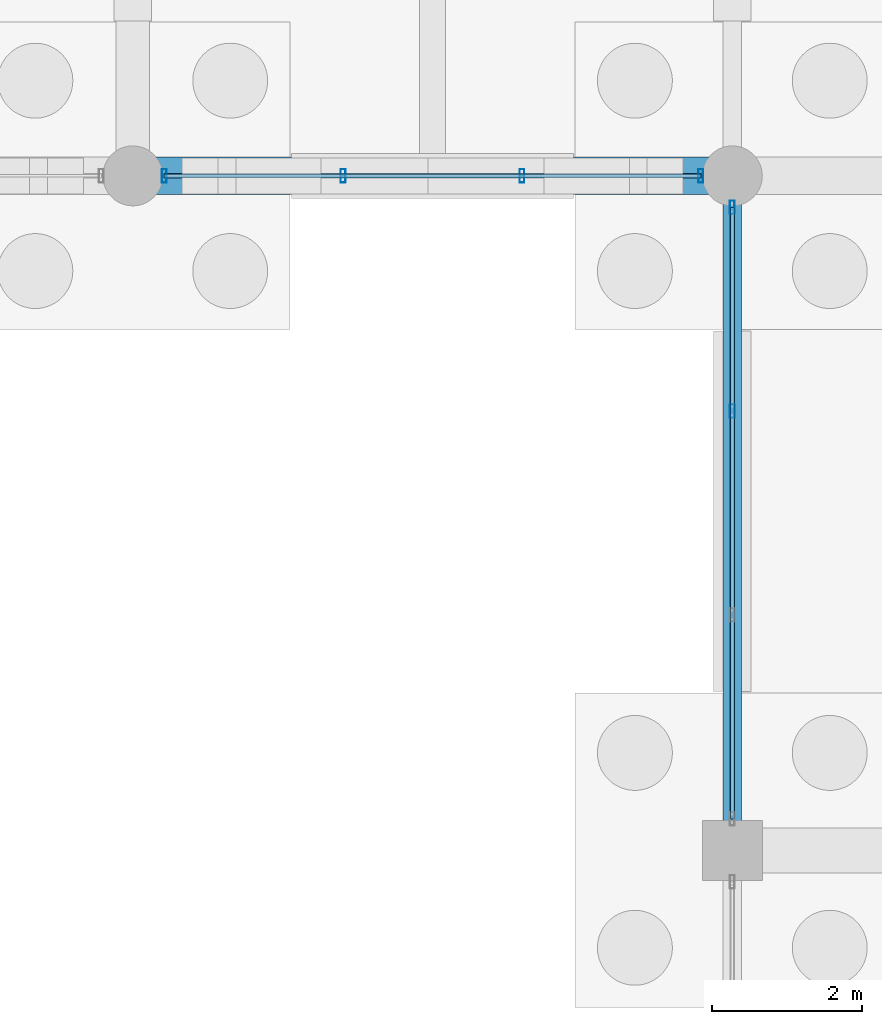
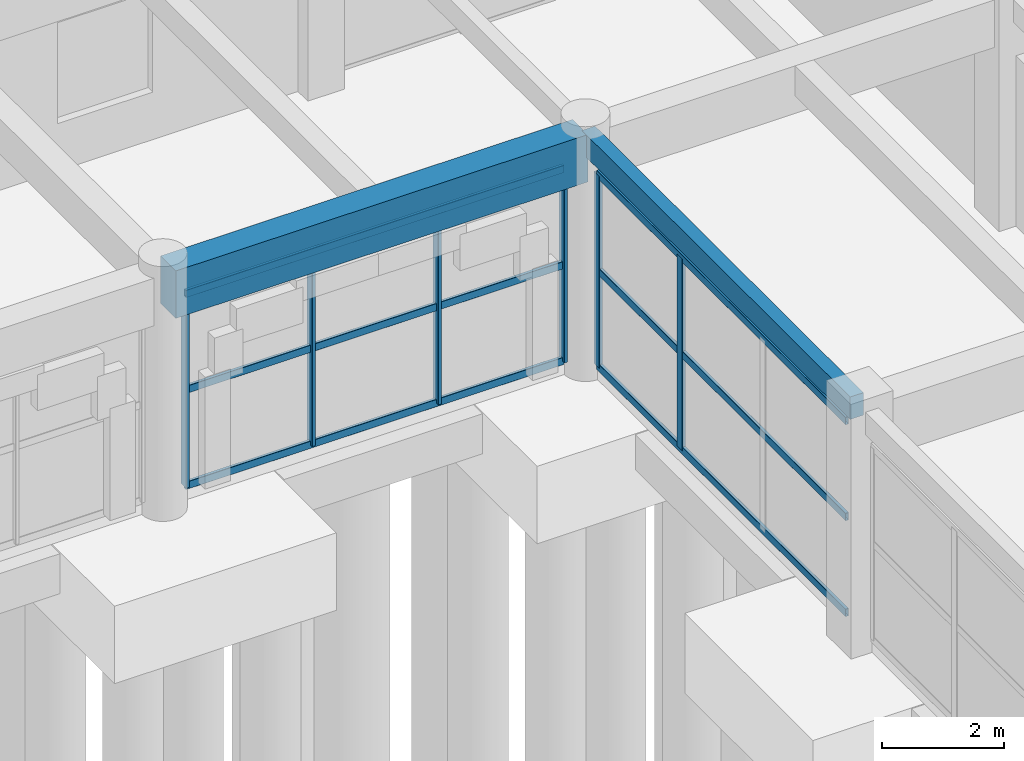
# One storey, part 77 of 147: 12 members, 2 beams, 2 elements without a shape of their own.
"""IFC4 building model written with IfcOpenShell, lengths in metres."""

from ifc_helpers import new_model, si_unit, direction, frame, origin, origin_2d, place, context, subcontext, project, spatial, rectangle, hollow_rectangle, extrude, material, material_profile, profile_set, type_object, element, aggregate, save


model = new_model("IFC4")

# Units and contexts
model_context = context("Model", 3, precision=1e-05, world=origin(), true_north=direction((0.0, 1.0)))
body_context = subcontext(model_context, "Body", "Model", "MODEL_VIEW")
ifc_project = project(units=[si_unit("LENGTHUNIT", "METRE"), si_unit("AREAUNIT", "SQUARE_METRE"), si_unit("VOLUMEUNIT", "CUBIC_METRE"), si_unit("PLANEANGLEUNIT", "RADIAN"), si_unit("MASSUNIT", "GRAM", prefix="KILO")], contexts=[model_context])

# Site, building, storey
site_placement = place(None, origin())
site = spatial("IfcSite", under=ifc_project, at=site_placement, CompositionType="ELEMENT")
building_placement = place(site_placement, origin())
building = spatial("IfcBuilding", under=site, at=building_placement, Name="Varnabhumi Central Station", CompositionType="ELEMENT")
storey_placement = place(building_placement, origin())
storey = spatial("IfcBuildingStorey", under=building, at=storey_placement, Name="L00", CompositionType="ELEMENT", Elevation=0.0)

# Beams
ifc_material_1 = material(Name="Concrete M35", Category="concrete")
ifc_material_profile_1 = material_profile(ifc_material_1, rectangle(XDim=0.25, YDim=0.449951171875, at=origin_2d()), Name="Concrete M35", Category="concrete")
ifc_profile_set_1 = profile_set([ifc_material_profile_1], Name="Concrete M35")
beam_type_1 = type_object("IfcBeamType", Name="BM-RC-250x450", PredefinedType="LINTEL", material=ifc_profile_set_1)
beam_1_placement = place(storey_placement, frame((144.0, 18.10009765625, 4.324951171875), z_axis=(0.0, 1.0, 0.0), x_axis=(-1.0, 0.0, 0.0)))
element("IfcBeam", 1, at=beam_1_placement, inside=storey, type_object=beam_type_1, Name="Beam L00-19:C-D", PredefinedType="LINTEL", context=body_context, shape_type="SweptSolid", body=[
    extrude(rectangle(XDim=0.25, YDim=0.449951171875, at=origin_2d()), origin(), (0.0, 0.0, 1.0), 8.7998046875),
])
ifc_material_2 = material(Name="Concrete M40", Category="concrete")
ifc_material_profile_2 = material_profile(ifc_material_2, rectangle(XDim=0.5, YDim=0.949951171875, at=origin_2d()), Name="Concrete M40", Category="concrete")
ifc_profile_set_2 = profile_set([ifc_material_profile_2], Name="Concrete M40")
beam_type_2 = type_object("IfcBeamType", Name="BM-RC-500x950", PredefinedType="BEAM", material=ifc_profile_set_2)
beam_2_placement = place(storey_placement, frame((136.10009765625, 27.0, 4.074951171875), z_axis=(1.0, 0.0, 0.0), x_axis=(0.0, 1.0, 0.0)))
element("IfcBeam", 2, at=beam_2_placement, inside=storey, type_object=beam_type_2, Name="Beam L00-D:18-19", PredefinedType="BEAM", context=body_context, shape_type="SweptSolid", body=[
    extrude(rectangle(XDim=0.5, YDim=0.949951171875, at=origin_2d()), origin(), (0.0, 0.0, 1.0), 7.7998046875),
])

# Curtain wall, members
ifc_material_3 = material(Name="Anodised aluminium 6063-T6", Category="aluminium")
curtain_wall_type = type_object("IfcCurtainWallType", Name="CW-PATIO-LOGGIA-L0", PredefinedType="NOTDEFINED", material=ifc_material_3)
curtain_wall_1_placement = place(storey_placement, origin())
curtain_wall_1 = element("IfcCurtainWall", 3, at=curtain_wall_1_placement, inside=storey, type_object=curtain_wall_type, Name="Curtain Wall CW-SP0W2", PredefinedType="NOTDEFINED")
ifc_material_profile_3 = material_profile(ifc_material_3, hollow_rectangle(XDim=0.06494140625, YDim=0.179931640625, WallThickness=0.00390625, InnerFilletRadius=0.001953125, OuterFilletRadius=0.006103515625, at=origin_2d()), Name="Anodised aluminium 6063-T6", Category="aluminium")
ifc_profile_set_3 = profile_set([ifc_material_profile_3], Name="Anodised aluminium 6063-T6")
member_type_1 = type_object("IfcMemberType", Name="CW-MUL-180", PredefinedType="MULLION", material=ifc_profile_set_3)
member_1_placement = place(storey_placement, frame((144.0, 23.860107421875, 0.0), z_axis=(0.0, 0.0, 1.0), x_axis=(1.0, 0.0, 0.0)))
member_1 = element("IfcMember", 4, at=member_1_placement, type_object=member_type_1, Name="Curtain Wall Mullion CW-SP0W2-M3", PredefinedType="MULLION", context=body_context, shape_type="SweptSolid", body=[
    extrude(hollow_rectangle(XDim=0.06494140625, YDim=0.179931640625, WallThickness=0.00390625, InnerFilletRadius=0.001953125, OuterFilletRadius=0.006103515625, at=origin_2d()), origin(), (0.0, 0.0, 1.0), 3.840087890625),
])
member_2_placement = place(storey_placement, frame((144.0, 26.580078125, 0.0), z_axis=(0.0, 0.0, 1.0), x_axis=(1.0, 0.0, 0.0)))
member_2 = element("IfcMember", 5, at=member_2_placement, type_object=member_type_1, Name="Curtain Wall Mullion CW-SP0W2-M4", PredefinedType="MULLION", context=body_context, shape_type="SweptSolid", body=[
    extrude(hollow_rectangle(XDim=0.06494140625, YDim=0.179931640625, WallThickness=0.00390625, InnerFilletRadius=0.001953125, OuterFilletRadius=0.006103515625, at=origin_2d()), origin(), (0.0, 0.0, 1.0), 3.840087890625),
])

curtain_wall_2_placement = place(storey_placement, origin())
curtain_wall_2 = element("IfcCurtainWall", 6, at=curtain_wall_2_placement, inside=storey, type_object=curtain_wall_type, Name="Curtain Wall CW-SP0N4", PredefinedType="NOTDEFINED")
member_3_placement = place(storey_placement, frame((136.419921875, 27.0, 0.0), z_axis=(0.0, 0.0, 1.0), x_axis=(1.0, 0.0, 0.0)))
member_3 = element("IfcMember", 7, at=member_3_placement, type_object=member_type_1, Name="Curtain Wall Mullion CW-SP0N4-M1", PredefinedType="MULLION", context=body_context, shape_type="SweptSolid", body=[
    extrude(hollow_rectangle(XDim=0.06494140625, YDim=0.179931640625, WallThickness=0.00390625, InnerFilletRadius=0.001953125, OuterFilletRadius=0.006103515625, at=origin_2d()), origin(), (0.0, 0.0, 1.0), 3.840087890625),
])
member_4_placement = place(storey_placement, frame((138.806640625, 27.0, 0.0), z_axis=(0.0, 0.0, 1.0), x_axis=(1.0, 0.0, 0.0)))
member_4 = element("IfcMember", 8, at=member_4_placement, type_object=member_type_1, Name="Curtain Wall Mullion CW-SP0N4-M2", PredefinedType="MULLION", context=body_context, shape_type="SweptSolid", body=[
    extrude(hollow_rectangle(XDim=0.06494140625, YDim=0.179931640625, WallThickness=0.00390625, InnerFilletRadius=0.001953125, OuterFilletRadius=0.006103515625, at=origin_2d()), origin(), (0.0, 0.0, 1.0), 3.840087890625),
])
member_5_placement = place(storey_placement, frame((141.193359375, 27.0, 0.0), z_axis=(0.0, 0.0, 1.0), x_axis=(1.0, 0.0, 0.0)))
member_5 = element("IfcMember", 9, at=member_5_placement, type_object=member_type_1, Name="Curtain Wall Mullion CW-SP0N4-M3", PredefinedType="MULLION", context=body_context, shape_type="SweptSolid", body=[
    extrude(hollow_rectangle(XDim=0.06494140625, YDim=0.179931640625, WallThickness=0.00390625, InnerFilletRadius=0.001953125, OuterFilletRadius=0.006103515625, at=origin_2d()), origin(), (0.0, 0.0, 1.0), 3.840087890625),
])
member_6_placement = place(storey_placement, frame((143.580078125, 27.0, 0.0), z_axis=(0.0, 0.0, 1.0), x_axis=(1.0, 0.0, 0.0)))
member_6 = element("IfcMember", 10, at=member_6_placement, type_object=member_type_1, Name="Curtain Wall Mullion CW-SP0N4-M4", PredefinedType="MULLION", context=body_context, shape_type="SweptSolid", body=[
    extrude(hollow_rectangle(XDim=0.06494140625, YDim=0.179931640625, WallThickness=0.00390625, InnerFilletRadius=0.001953125, OuterFilletRadius=0.006103515625, at=origin_2d()), origin(), (0.0, 0.0, 1.0), 3.840087890625),
])

# Member
ifc_material_profile_4 = material_profile(ifc_material_3, hollow_rectangle(XDim=0.06005859375, YDim=0.14990234375, WallThickness=0.00390625, InnerFilletRadius=0.001953125, OuterFilletRadius=0.006103515625, at=origin_2d()), Name="Anodised aluminium 6063-T6", Category="aluminium")
ifc_profile_set_4 = profile_set([ifc_material_profile_4], Name="Anodised aluminium 6063-T6")
member_type_2 = type_object("IfcMemberType", Name="CW-TR-150", PredefinedType="USERDEFINED", material=ifc_profile_set_4)
member_7_placement = place(storey_placement, frame((144.0, 18.419921875, 0.0), z_axis=(0.0, 1.0, 0.0), x_axis=(-1.0, 0.0, 0.0)))
member_7 = element("IfcMember", 11, at=member_7_placement, type_object=member_type_2, Name="Curtain Wall Transom CW-SP0W2-T1", ObjectType="TRANSOM", PredefinedType="USERDEFINED", context=body_context, shape_type="SweptSolid", body=[
    extrude(hollow_rectangle(XDim=0.06005859375, YDim=0.14990234375, WallThickness=0.00390625, InnerFilletRadius=0.001953125, OuterFilletRadius=0.006103515625, at=origin_2d()), origin(), (0.0, 0.0, 1.0), 8.16015625),
])

member_8_placement = place(storey_placement, frame((144.0, 18.419921875, 1.919921875), z_axis=(0.0, 1.0, 0.0), x_axis=(-1.0, 0.0, 0.0)))
member_8 = element("IfcMember", 12, at=member_8_placement, type_object=member_type_2, Name="Curtain Wall Transom CW-SP0W2-T2", ObjectType="TRANSOM", PredefinedType="USERDEFINED", context=body_context, shape_type="SweptSolid", body=[
    extrude(hollow_rectangle(XDim=0.06005859375, YDim=0.14990234375, WallThickness=0.00390625, InnerFilletRadius=0.001953125, OuterFilletRadius=0.006103515625, at=origin_2d()), origin(), (0.0, 0.0, 1.0), 8.16015625),
])

member_9_placement = place(storey_placement, frame((144.0, 18.419921875, 3.840087890625), z_axis=(0.0, 1.0, 0.0), x_axis=(-1.0, 0.0, 0.0)))
member_9 = element("IfcMember", 13, at=member_9_placement, type_object=member_type_2, Name="Curtain Wall Transom CW-SP0W2-T3", ObjectType="TRANSOM", PredefinedType="USERDEFINED", context=body_context, shape_type="SweptSolid", body=[
    extrude(hollow_rectangle(XDim=0.06005859375, YDim=0.14990234375, WallThickness=0.00390625, InnerFilletRadius=0.001953125, OuterFilletRadius=0.006103515625, at=origin_2d()), origin(), (0.0, 0.0, 1.0), 8.16015625),
])

aggregate(curtain_wall_1, [member_1, member_2, member_7, member_8, member_9])

member_10_placement = place(storey_placement, frame((136.419921875, 27.0, 0.0), z_axis=(1.0, 0.0, 0.0), x_axis=(0.0, 1.0, 0.0)))
member_10 = element("IfcMember", 14, at=member_10_placement, type_object=member_type_2, Name="Curtain Wall Transom CW-SP0N4-T1", ObjectType="TRANSOM", PredefinedType="USERDEFINED", context=body_context, shape_type="SweptSolid", body=[
    extrude(hollow_rectangle(XDim=0.06005859375, YDim=0.14990234375, WallThickness=0.00390625, InnerFilletRadius=0.001953125, OuterFilletRadius=0.006103515625, at=origin_2d()), origin(), (0.0, 0.0, 1.0), 7.16015625),
])

member_11_placement = place(storey_placement, frame((136.419921875, 27.0, 1.919921875), z_axis=(1.0, 0.0, 0.0), x_axis=(0.0, 1.0, 0.0)))
member_11 = element("IfcMember", 15, at=member_11_placement, type_object=member_type_2, Name="Curtain Wall Transom CW-SP0N4-T2", ObjectType="TRANSOM", PredefinedType="USERDEFINED", context=body_context, shape_type="SweptSolid", body=[
    extrude(hollow_rectangle(XDim=0.06005859375, YDim=0.14990234375, WallThickness=0.00390625, InnerFilletRadius=0.001953125, OuterFilletRadius=0.006103515625, at=origin_2d()), origin(), (0.0, 0.0, 1.0), 7.16015625),
])

member_12_placement = place(storey_placement, frame((136.419921875, 27.0, 3.840087890625), z_axis=(1.0, 0.0, 0.0), x_axis=(0.0, 1.0, 0.0)))
member_12 = element("IfcMember", 16, at=member_12_placement, type_object=member_type_2, Name="Curtain Wall Transom CW-SP0N4-T3", ObjectType="TRANSOM", PredefinedType="USERDEFINED", context=body_context, shape_type="SweptSolid", body=[
    extrude(hollow_rectangle(XDim=0.06005859375, YDim=0.14990234375, WallThickness=0.00390625, InnerFilletRadius=0.001953125, OuterFilletRadius=0.006103515625, at=origin_2d()), origin(), (0.0, 0.0, 1.0), 7.16015625),
])

aggregate(curtain_wall_2, [member_3, member_4, member_5, member_6, member_10, member_11, member_12])

save(model, "model.ifc")
